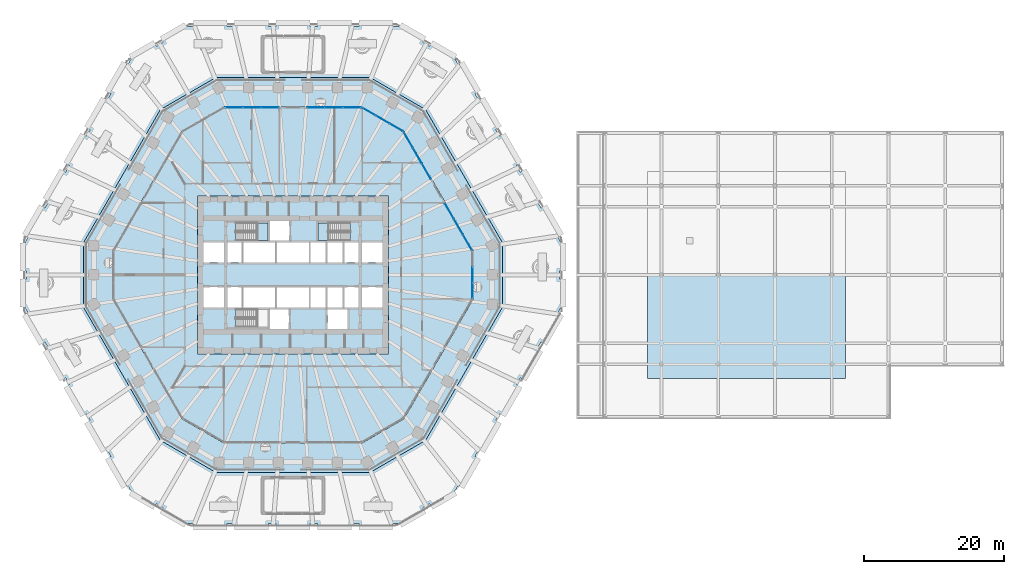
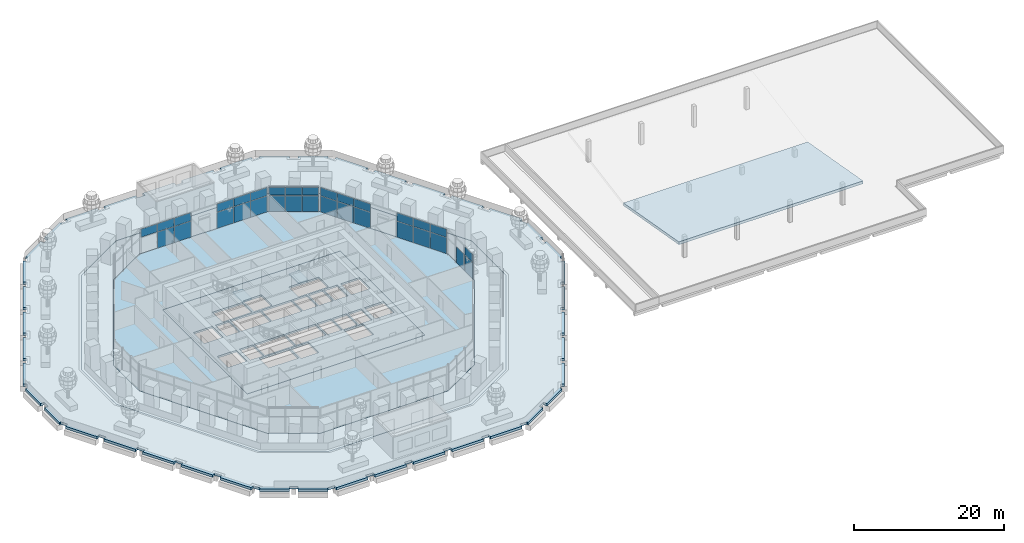
# One storey, part 20 of 32: 32 plates, 7 slabs, 8 elements without a shape of their own.
"""IFC4 building model written with IfcOpenShell, lengths in metres."""

from ifc_helpers import new_model, si_unit, direction, frame, origin, origin_2d, place, context, subcontext, project, spatial, polyline, rectangle, outline, extrude, material, layer, layer_set, type_object, element, aggregate, save


model = new_model("IFC4")

# Units and contexts
model_context = context("Model", 3, precision=1e-05, world=origin(), true_north=direction((0.0, 1.0)))
body_context = subcontext(model_context, "Body", "Model", "MODEL_VIEW")
ifc_project = project(units=[si_unit("LENGTHUNIT", "METRE"), si_unit("AREAUNIT", "SQUARE_METRE"), si_unit("VOLUMEUNIT", "CUBIC_METRE"), si_unit("PLANEANGLEUNIT", "RADIAN"), si_unit("MASSUNIT", "GRAM", prefix="KILO")], contexts=[model_context])

# Site, building, storey
site_placement = place(None, origin())
site = spatial("IfcSite", under=ifc_project, at=site_placement, CompositionType="ELEMENT")
building_placement = place(site_placement, origin())
building = spatial("IfcBuilding", under=site, at=building_placement, Name="Frailejon Research Tower", CompositionType="ELEMENT")
storey_placement = place(building_placement, frame((0.0, 0.0, 14.60009765625)))
storey = spatial("IfcBuildingStorey", under=building, at=storey_placement, Name="L03", CompositionType="ELEMENT", Elevation=14.60009765625)

# Curtain wall, plates
ifc_material_1 = material(Name="Aluminium curtain wall", Category="aluminium")
curtain_wall_type = type_object("IfcCurtainWallType", Name="Base zone unitised curtain wall system", PredefinedType="NOTDEFINED", material=ifc_material_1)
curtain_wall_1_placement = place(storey_placement, origin())
curtain_wall_1 = element("IfcCurtainWall", 1, at=curtain_wall_1_placement, inside=storey, type_object=curtain_wall_type, Name="Curtain wall L03", PredefinedType="NOTDEFINED")
ifc_material_2 = material(Name="Clear laminated glass", Category="glass")
ifc_layer_1 = layer(ifc_material_2, 0.028076171875)
ifc_layer_set_1 = layer_set([ifc_layer_1], Name="Base zone unitised curtain wall glass panel 28")
plate_type = type_object("IfcPlateType", Name="Base zone unitised curtain wall glass panel 28", PredefinedType="CURTAIN_PANEL", material=ifc_layer_set_1)
plate_1_placement = place(storey_placement, frame((25.61279296875, -2.2099609375, 0.06005859375), z_axis=(0.0, 0.0, 1.0), x_axis=(0.0, 1.0, 0.0)))
plate_1 = element("IfcPlate", 2, at=plate_1_placement, type_object=plate_type, Name="CW3-045 panel 1.1", PredefinedType="CURTAIN_PANEL", context=body_context, shape_type="SweptSolid", body=[
    extrude(rectangle(XDim=2.134765625, YDim=0.028076171875, at=origin_2d()), origin(), (0.0, 0.0, 1.0), 2.610107421875),
])
plate_2_placement = place(storey_placement, frame((25.61279296875, -2.2099609375, 2.72998046875), z_axis=(0.0, 0.0, 1.0), x_axis=(0.0, 1.0, 0.0)))
plate_2 = element("IfcPlate", 3, at=plate_2_placement, type_object=plate_type, Name="CW3-045 panel 1.2", PredefinedType="CURTAIN_PANEL", context=body_context, shape_type="SweptSolid", body=[
    extrude(rectangle(XDim=2.134765625, YDim=0.028076171875, at=origin_2d()), origin(), (0.0, 0.0, 1.0), 1.31005859375),
])
plate_3_placement = place(storey_placement, frame((25.61279296875, 0.0, 0.06005859375), z_axis=(0.0, 0.0, 1.0), x_axis=(0.0, 1.0, 0.0)))
plate_3 = element("IfcPlate", 4, at=plate_3_placement, type_object=plate_type, Name="CW3-045 panel 2.1", PredefinedType="CURTAIN_PANEL", context=body_context, shape_type="SweptSolid", body=[
    extrude(rectangle(XDim=2.164794921875, YDim=0.028076171875, at=origin_2d()), origin(), (0.0, 0.0, 1.0), 2.610107421875),
])
aggregate(curtain_wall_1, [plate_1, plate_2, plate_3])

curtain_wall_2_placement = place(storey_placement, origin())
curtain_wall_2 = element("IfcCurtainWall", 5, at=curtain_wall_2_placement, inside=storey, type_object=curtain_wall_type, Name="Curtain wall L03", PredefinedType="NOTDEFINED")
plate_4_placement = place(storey_placement, frame((24.908447265625, 4.657470703125, 0.06005859375), z_axis=(0.0, 0.0, 1.0), x_axis=(-0.499993018474, 0.866029434533, 0.0)))
plate_4 = element("IfcPlate", 6, at=plate_4_placement, type_object=plate_type, Name="CW3-046 panel 1.1", PredefinedType="CURTAIN_PANEL", context=body_context, shape_type="SweptSolid", body=[
    extrude(rectangle(XDim=2.497802734375, YDim=0.028076171875, at=origin_2d()), origin(), (0.0, 0.0, 1.0), 2.610107421875),
])
plate_5_placement = place(storey_placement, frame((24.908447265625, 4.657470703125, 2.72998046875), z_axis=(0.0, 0.0, 1.0), x_axis=(-0.499993018474, 0.866029434533, 0.0)))
plate_5 = element("IfcPlate", 7, at=plate_5_placement, type_object=plate_type, Name="CW3-046 panel 1.2", PredefinedType="CURTAIN_PANEL", context=body_context, shape_type="SweptSolid", body=[
    extrude(rectangle(XDim=2.497802734375, YDim=0.028076171875, at=origin_2d()), origin(), (0.0, 0.0, 1.0), 1.31005859375),
])
plate_6_placement = place(storey_placement, frame((23.621826171875, 6.8857421875, 0.06005859375), z_axis=(0.0, 0.0, 1.0), x_axis=(-0.499993018474, 0.866029434533, 0.0)))
plate_6 = element("IfcPlate", 8, at=plate_6_placement, type_object=plate_type, Name="CW3-046 panel 2.1", PredefinedType="CURTAIN_PANEL", context=body_context, shape_type="SweptSolid", body=[
    extrude(rectangle(XDim=2.52783203125, YDim=0.028076171875, at=origin_2d()), origin(), (0.0, 0.0, 1.0), 2.610107421875),
])
plate_7_placement = place(storey_placement, frame((23.621826171875, 6.8857421875, 2.72998046875), z_axis=(0.0, 0.0, 1.0), x_axis=(-0.499993018474, 0.866029434533, 0.0)))
plate_7 = element("IfcPlate", 9, at=plate_7_placement, type_object=plate_type, Name="CW3-046 panel 2.2", PredefinedType="CURTAIN_PANEL", context=body_context, shape_type="SweptSolid", body=[
    extrude(rectangle(XDim=2.52783203125, YDim=0.028076171875, at=origin_2d()), origin(), (0.0, 0.0, 1.0), 1.31005859375),
])
plate_8_placement = place(storey_placement, frame((22.33544921875, 9.114013671875, 0.06005859375), z_axis=(0.0, 0.0, 1.0), x_axis=(-0.499993018474, 0.866029434533, 0.0)))
plate_8 = element("IfcPlate", 10, at=plate_8_placement, type_object=plate_type, Name="CW3-046 panel 3.1", PredefinedType="CURTAIN_PANEL", context=body_context, shape_type="SweptSolid", body=[
    extrude(rectangle(XDim=2.497802734375, YDim=0.028076171875, at=origin_2d()), origin(), (0.0, 0.0, 1.0), 2.610107421875),
])
plate_9_placement = place(storey_placement, frame((22.33544921875, 9.114013671875, 2.72998046875), z_axis=(0.0, 0.0, 1.0), x_axis=(-0.499993018474, 0.866029434533, 0.0)))
plate_9 = element("IfcPlate", 11, at=plate_9_placement, type_object=plate_type, Name="CW3-046 panel 3.2", PredefinedType="CURTAIN_PANEL", context=body_context, shape_type="SweptSolid", body=[
    extrude(rectangle(XDim=2.497802734375, YDim=0.028076171875, at=origin_2d()), origin(), (0.0, 0.0, 1.0), 1.31005859375),
])
aggregate(curtain_wall_2, [plate_4, plate_5, plate_6, plate_7, plate_8, plate_9])

curtain_wall_3_placement = place(storey_placement, origin())
curtain_wall_3 = element("IfcCurtainWall", 12, at=curtain_wall_3_placement, inside=storey, type_object=curtain_wall_type, Name="Curtain wall L03", PredefinedType="NOTDEFINED")
plate_10_placement = place(storey_placement, frame((19.060546875, 14.7861328125, 0.06005859375), z_axis=(0.0, 0.0, 1.0), x_axis=(-0.499993018474, 0.866029434533, 0.0)))
plate_10 = element("IfcPlate", 13, at=plate_10_placement, type_object=plate_type, Name="CW3-047 panel 1.1", PredefinedType="CURTAIN_PANEL", context=body_context, shape_type="SweptSolid", body=[
    extrude(rectangle(XDim=2.497802734375, YDim=0.028076171875, at=origin_2d()), origin(), (0.0, 0.0, 1.0), 2.610107421875),
])
plate_11_placement = place(storey_placement, frame((19.060546875, 14.7861328125, 2.72998046875), z_axis=(0.0, 0.0, 1.0), x_axis=(-0.499993018474, 0.866029434533, 0.0)))
plate_11 = element("IfcPlate", 14, at=plate_11_placement, type_object=plate_type, Name="CW3-047 panel 1.2", PredefinedType="CURTAIN_PANEL", context=body_context, shape_type="SweptSolid", body=[
    extrude(rectangle(XDim=2.497802734375, YDim=0.028076171875, at=origin_2d()), origin(), (0.0, 0.0, 1.0), 1.31005859375),
])
plate_12_placement = place(storey_placement, frame((17.774169921875, 17.014404296875, 0.06005859375), z_axis=(0.0, 0.0, 1.0), x_axis=(-0.499993018474, 0.866029434533, 0.0)))
plate_12 = element("IfcPlate", 15, at=plate_12_placement, type_object=plate_type, Name="CW3-047 panel 2.1", PredefinedType="CURTAIN_PANEL", context=body_context, shape_type="SweptSolid", body=[
    extrude(rectangle(XDim=2.52783203125, YDim=0.028076171875, at=origin_2d()), origin(), (0.0, 0.0, 1.0), 2.610107421875),
])
plate_13_placement = place(storey_placement, frame((17.774169921875, 17.014404296875, 2.72998046875), z_axis=(0.0, 0.0, 1.0), x_axis=(-0.499993018474, 0.866029434533, 0.0)))
plate_13 = element("IfcPlate", 16, at=plate_13_placement, type_object=plate_type, Name="CW3-047 panel 2.2", PredefinedType="CURTAIN_PANEL", context=body_context, shape_type="SweptSolid", body=[
    extrude(rectangle(XDim=2.52783203125, YDim=0.028076171875, at=origin_2d()), origin(), (0.0, 0.0, 1.0), 1.31005859375),
])
plate_14_placement = place(storey_placement, frame((16.487548828125, 19.242431640625, 0.06005859375), z_axis=(0.0, 0.0, 1.0), x_axis=(-0.499993018474, 0.866029434533, 0.0)))
plate_14 = element("IfcPlate", 17, at=plate_14_placement, type_object=plate_type, Name="CW3-047 panel 3.1", PredefinedType="CURTAIN_PANEL", context=body_context, shape_type="SweptSolid", body=[
    extrude(rectangle(XDim=2.497802734375, YDim=0.028076171875, at=origin_2d()), origin(), (0.0, 0.0, 1.0), 2.610107421875),
])
plate_15_placement = place(storey_placement, frame((16.487548828125, 19.242431640625, 2.72998046875), z_axis=(0.0, 0.0, 1.0), x_axis=(-0.499993018474, 0.866029434533, 0.0)))
plate_15 = element("IfcPlate", 18, at=plate_15_placement, type_object=plate_type, Name="CW3-047 panel 3.2", PredefinedType="CURTAIN_PANEL", context=body_context, shape_type="SweptSolid", body=[
    extrude(rectangle(XDim=2.497802734375, YDim=0.028076171875, at=origin_2d()), origin(), (0.0, 0.0, 1.0), 1.31005859375),
])
aggregate(curtain_wall_3, [plate_10, plate_11, plate_12, plate_13, plate_14, plate_15])

curtain_wall_4_placement = place(storey_placement, origin())
curtain_wall_4 = element("IfcCurtainWall", 19, at=curtain_wall_4_placement, inside=storey, type_object=curtain_wall_type, Name="Curtain wall L03", PredefinedType="NOTDEFINED")
plate_16_placement = place(storey_placement, frame((14.72021484375, 21.076416015625, 0.06005859375), z_axis=(0.0, 0.0, 1.0), x_axis=(-0.866026409075, 0.499998258782, 0.0)))
plate_16 = element("IfcPlate", 20, at=plate_16_placement, type_object=plate_type, Name="CW3-048 panel 1.1", PredefinedType="CURTAIN_PANEL", context=body_context, shape_type="SweptSolid", body=[
    extrude(rectangle(XDim=2.134765625, YDim=0.028076171875, at=origin_2d()), origin(), (0.0, 0.0, 1.0), 2.610107421875),
])
plate_17_placement = place(storey_placement, frame((14.72021484375, 21.076416015625, 2.72998046875), z_axis=(0.0, 0.0, 1.0), x_axis=(-0.866026409075, 0.499998258782, 0.0)))
plate_17 = element("IfcPlate", 21, at=plate_17_placement, type_object=plate_type, Name="CW3-048 panel 1.2", PredefinedType="CURTAIN_PANEL", context=body_context, shape_type="SweptSolid", body=[
    extrude(rectangle(XDim=2.134765625, YDim=0.028076171875, at=origin_2d()), origin(), (0.0, 0.0, 1.0), 1.31005859375),
])
plate_18_placement = place(storey_placement, frame((12.806396484375, 22.181396484375, 0.06005859375), z_axis=(0.0, 0.0, 1.0), x_axis=(-0.866026409075, 0.499998258782, 0.0)))
plate_18 = element("IfcPlate", 22, at=plate_18_placement, type_object=plate_type, Name="CW3-048 panel 2.1", PredefinedType="CURTAIN_PANEL", context=body_context, shape_type="SweptSolid", body=[
    extrude(rectangle(XDim=2.164794921875, YDim=0.028076171875, at=origin_2d()), origin(), (0.0, 0.0, 1.0), 2.610107421875),
])
plate_19_placement = place(storey_placement, frame((12.806396484375, 22.181396484375, 2.72998046875), z_axis=(0.0, 0.0, 1.0), x_axis=(-0.866026409075, 0.499998258782, 0.0)))
plate_19 = element("IfcPlate", 23, at=plate_19_placement, type_object=plate_type, Name="CW3-048 panel 2.2", PredefinedType="CURTAIN_PANEL", context=body_context, shape_type="SweptSolid", body=[
    extrude(rectangle(XDim=2.164794921875, YDim=0.028076171875, at=origin_2d()), origin(), (0.0, 0.0, 1.0), 1.31005859375),
])
plate_20_placement = place(storey_placement, frame((10.892578125, 23.286376953125, 0.06005859375), z_axis=(0.0, 0.0, 1.0), x_axis=(-0.866026409075, 0.499998258782, 0.0)))
plate_20 = element("IfcPlate", 24, at=plate_20_placement, type_object=plate_type, Name="CW3-048 panel 3.1", PredefinedType="CURTAIN_PANEL", context=body_context, shape_type="SweptSolid", body=[
    extrude(rectangle(XDim=2.134765625, YDim=0.028076171875, at=origin_2d()), origin(), (0.0, 0.0, 1.0), 2.610107421875),
])
plate_21_placement = place(storey_placement, frame((10.892578125, 23.286376953125, 2.72998046875), z_axis=(0.0, 0.0, 1.0), x_axis=(-0.866026409075, 0.499998258782, 0.0)))
plate_21 = element("IfcPlate", 25, at=plate_21_placement, type_object=plate_type, Name="CW3-048 panel 3.2", PredefinedType="CURTAIN_PANEL", context=body_context, shape_type="SweptSolid", body=[
    extrude(rectangle(XDim=2.134765625, YDim=0.028076171875, at=origin_2d()), origin(), (0.0, 0.0, 1.0), 1.31005859375),
])
aggregate(curtain_wall_4, [plate_16, plate_17, plate_18, plate_19, plate_20, plate_21])

curtain_wall_5_placement = place(storey_placement, origin())
curtain_wall_5 = element("IfcCurtainWall", 26, at=curtain_wall_5_placement, inside=storey, type_object=curtain_wall_type, Name="Curtain wall L03", PredefinedType="NOTDEFINED")
plate_22_placement = place(storey_placement, frame((8.420654296875, 23.89990234375, 0.06005859375), z_axis=(0.0, 0.0, 1.0), x_axis=(-1.0, 0.0, 0.0)))
plate_22 = element("IfcPlate", 27, at=plate_22_placement, type_object=plate_type, Name="CW3-049 panel 1.1", PredefinedType="CURTAIN_PANEL", context=body_context, shape_type="SweptSolid", body=[
    extrude(rectangle(XDim=2.497802734375, YDim=0.028076171875, at=origin_2d()), origin(), (0.0, 0.0, 1.0), 2.610107421875),
])
plate_23_placement = place(storey_placement, frame((8.420654296875, 23.89990234375, 2.72998046875), z_axis=(0.0, 0.0, 1.0), x_axis=(-1.0, 0.0, 0.0)))
plate_23 = element("IfcPlate", 28, at=plate_23_placement, type_object=plate_type, Name="CW3-049 panel 1.2", PredefinedType="CURTAIN_PANEL", context=body_context, shape_type="SweptSolid", body=[
    extrude(rectangle(XDim=2.497802734375, YDim=0.028076171875, at=origin_2d()), origin(), (0.0, 0.0, 1.0), 1.31005859375),
])
plate_24_placement = place(storey_placement, frame((5.84765625, 23.89990234375, 0.06005859375), z_axis=(0.0, 0.0, 1.0), x_axis=(-1.0, 0.0, 0.0)))
plate_24 = element("IfcPlate", 29, at=plate_24_placement, type_object=plate_type, Name="CW3-049 panel 2.1", PredefinedType="CURTAIN_PANEL", context=body_context, shape_type="SweptSolid", body=[
    extrude(rectangle(XDim=2.52783203125, YDim=0.028076171875, at=origin_2d()), origin(), (0.0, 0.0, 1.0), 2.610107421875),
])
plate_25_placement = place(storey_placement, frame((5.84765625, 23.89990234375, 2.72998046875), z_axis=(0.0, 0.0, 1.0), x_axis=(-1.0, 0.0, 0.0)))
plate_25 = element("IfcPlate", 30, at=plate_25_placement, type_object=plate_type, Name="CW3-049 panel 2.2", PredefinedType="CURTAIN_PANEL", context=body_context, shape_type="SweptSolid", body=[
    extrude(rectangle(XDim=2.52783203125, YDim=0.028076171875, at=origin_2d()), origin(), (0.0, 0.0, 1.0), 1.31005859375),
])
plate_26_placement = place(storey_placement, frame((3.27490234375, 23.89990234375, 0.06005859375), z_axis=(0.0, 0.0, 1.0), x_axis=(-1.0, 0.0, 0.0)))
plate_26 = element("IfcPlate", 31, at=plate_26_placement, type_object=plate_type, Name="CW3-049 panel 3.1", PredefinedType="CURTAIN_PANEL", context=body_context, shape_type="SweptSolid", body=[
    extrude(rectangle(XDim=2.497802734375, YDim=0.028076171875, at=origin_2d()), origin(), (0.0, 0.0, 1.0), 2.610107421875),
])
plate_27_placement = place(storey_placement, frame((3.27490234375, 23.89990234375, 2.72998046875), z_axis=(0.0, 0.0, 1.0), x_axis=(-1.0, 0.0, 0.0)))
plate_27 = element("IfcPlate", 32, at=plate_27_placement, type_object=plate_type, Name="CW3-049 panel 3.2", PredefinedType="CURTAIN_PANEL", context=body_context, shape_type="SweptSolid", body=[
    extrude(rectangle(XDim=2.497802734375, YDim=0.028076171875, at=origin_2d()), origin(), (0.0, 0.0, 1.0), 1.31005859375),
])
aggregate(curtain_wall_5, [plate_22, plate_23, plate_24, plate_25, plate_26, plate_27])

curtain_wall_6_placement = place(storey_placement, origin())
curtain_wall_6 = element("IfcCurtainWall", 33, at=curtain_wall_6_placement, inside=storey, type_object=curtain_wall_type, Name="Curtain wall L03", PredefinedType="NOTDEFINED")
plate_28_placement = place(storey_placement, frame((-3.27490234375, 23.89990234375, 0.06005859375), z_axis=(0.0, 0.0, 1.0), x_axis=(-1.0, 0.0, 0.0)))
plate_28 = element("IfcPlate", 34, at=plate_28_placement, type_object=plate_type, Name="CW3-050 panel 1.1", PredefinedType="CURTAIN_PANEL", context=body_context, shape_type="SweptSolid", body=[
    extrude(rectangle(XDim=2.497802734375, YDim=0.028076171875, at=origin_2d()), origin(), (0.0, 0.0, 1.0), 2.610107421875),
])
plate_29_placement = place(storey_placement, frame((-3.27490234375, 23.89990234375, 2.72998046875), z_axis=(0.0, 0.0, 1.0), x_axis=(-1.0, 0.0, 0.0)))
plate_29 = element("IfcPlate", 35, at=plate_29_placement, type_object=plate_type, Name="CW3-050 panel 1.2", PredefinedType="CURTAIN_PANEL", context=body_context, shape_type="SweptSolid", body=[
    extrude(rectangle(XDim=2.497802734375, YDim=0.028076171875, at=origin_2d()), origin(), (0.0, 0.0, 1.0), 1.31005859375),
])
plate_30_placement = place(storey_placement, frame((-5.84765625, 23.89990234375, 0.06005859375), z_axis=(0.0, 0.0, 1.0), x_axis=(-1.0, 0.0, 0.0)))
plate_30 = element("IfcPlate", 36, at=plate_30_placement, type_object=plate_type, Name="CW3-050 panel 2.1", PredefinedType="CURTAIN_PANEL", context=body_context, shape_type="SweptSolid", body=[
    extrude(rectangle(XDim=2.52783203125, YDim=0.028076171875, at=origin_2d()), origin(), (0.0, 0.0, 1.0), 2.610107421875),
])
plate_31_placement = place(storey_placement, frame((-5.84765625, 23.89990234375, 2.72998046875), z_axis=(0.0, 0.0, 1.0), x_axis=(-1.0, 0.0, 0.0)))
plate_31 = element("IfcPlate", 37, at=plate_31_placement, type_object=plate_type, Name="CW3-050 panel 2.2", PredefinedType="CURTAIN_PANEL", context=body_context, shape_type="SweptSolid", body=[
    extrude(rectangle(XDim=2.52783203125, YDim=0.028076171875, at=origin_2d()), origin(), (0.0, 0.0, 1.0), 1.31005859375),
])
plate_32_placement = place(storey_placement, frame((-8.420654296875, 23.89990234375, 2.72998046875), z_axis=(0.0, 0.0, 1.0), x_axis=(-1.0, 0.0, 0.0)))
plate_32 = element("IfcPlate", 38, at=plate_32_placement, type_object=plate_type, Name="CW3-050 panel 3.2", PredefinedType="CURTAIN_PANEL", context=body_context, shape_type="SweptSolid", body=[
    extrude(rectangle(XDim=2.497802734375, YDim=0.028076171875, at=origin_2d()), origin(), (0.0, 0.0, 1.0), 1.31005859375),
])
aggregate(curtain_wall_6, [plate_28, plate_29, plate_30, plate_31, plate_32])

# Slabs
ifc_material_3 = material(Name="Concrete C70/85", Category="concrete")
ifc_layer_2 = layer(ifc_material_3, 0.300048828125)
ifc_layer_set_2 = layer_set([ifc_layer_2], Name="Core floor slab 300 C70/85")
slab_type_1 = type_object("IfcSlabType", Name="Core floor slab 300 C70/85", PredefinedType="FLOOR", material=ifc_layer_set_2)
slab_1_placement = place(storey_placement, frame((0.0, 0.0, -0.300048828125)))
element("IfcSlab", 39, at=slab_1_placement, inside=storey, type_object=slab_type_1, Name="Core floor slab", PredefinedType="FLOOR", context=body_context, shape_type="SweptSolid", body=[
    extrude(outline(polyline([(13.64990234375, -11.25), (13.64990234375, 11.25), (-13.64990234375, 11.25), (-13.64990234375, -11.25), (13.64990234375, -11.25)]), holes=[polyline([(-9.85009765625, 1.75), (-9.85009765625, 4.64990234375), (-12.75, 4.64990234375), (-12.75, 1.75), (-9.85009765625, 1.75)]), polyline([(-7.300048828125, 1.75), (-7.300048828125, 4.64990234375), (-9.35009765625, 4.64990234375), (-9.35009765625, 1.75), (-7.300048828125, 1.75)]), polyline([(-2.5, 1.75), (-2.5, 4.64990234375), (-7.10009765625, 4.64990234375), (-7.10009765625, 1.75), (-2.5, 1.75)]), polyline([(2.300048828125, 1.75), (2.300048828125, 4.64990234375), (-2.300048828125, 4.64990234375), (-2.300048828125, 1.75), (2.300048828125, 1.75)]), polyline([(4.699951171875, 1.75), (4.699951171875, 4.64990234375), (2.5, 4.64990234375), (2.5, 1.75), (4.699951171875, 1.75)]), polyline([(7.10009765625, 1.75), (7.10009765625, 4.64990234375), (4.89990234375, 4.64990234375), (4.89990234375, 1.75), (7.10009765625, 1.75)]), polyline([(9.35009765625, 1.75), (9.35009765625, 4.64990234375), (7.300048828125, 4.64990234375), (7.300048828125, 1.75), (9.35009765625, 1.75)]), polyline([(12.75, 1.75), (12.75, 4.64990234375), (9.85009765625, 4.64990234375), (9.85009765625, 1.75), (12.75, 1.75)]), polyline([(-9.85009765625, -4.64990234375), (-9.85009765625, -1.75), (-12.75, -1.75), (-12.75, -4.64990234375), (-9.85009765625, -4.64990234375)]), polyline([(-7.300048828125, -4.64990234375), (-7.300048828125, -1.75), (-9.35009765625, -1.75), (-9.35009765625, -4.64990234375), (-7.300048828125, -4.64990234375)]), polyline([(-2.5, -4.64990234375), (-2.5, -1.75), (-7.10009765625, -1.75), (-7.10009765625, -4.64990234375), (-2.5, -4.64990234375)]), polyline([(2.300048828125, -4.64990234375), (2.300048828125, -1.75), (-2.300048828125, -1.75), (-2.300048828125, -4.64990234375), (2.300048828125, -4.64990234375)]), polyline([(4.699951171875, -4.64990234375), (4.699951171875, -1.75), (2.5, -1.75), (2.5, -4.64990234375), (4.699951171875, -4.64990234375)]), polyline([(7.10009765625, -4.64990234375), (7.10009765625, -1.75), (4.89990234375, -1.75), (4.89990234375, -4.64990234375), (7.10009765625, -4.64990234375)]), polyline([(9.35009765625, -4.64990234375), (9.35009765625, -1.75), (7.300048828125, -1.75), (7.300048828125, -4.64990234375), (9.35009765625, -4.64990234375)]), polyline([(12.75, -4.64990234375), (12.75, -1.75), (9.85009765625, -1.75), (9.85009765625, -4.64990234375), (12.75, -4.64990234375)]), polyline([(-8.14697265625, 4.89990234375), (-3.550048828125, 4.89990234375), (-3.550048828125, 7.449951171875), (-8.14697265625, 7.449951171875), (-8.14697265625, 4.89990234375)]), polyline([(-8.14697265625, -7.449951171875), (-3.550048828125, -7.449951171875), (-3.550048828125, -4.89990234375), (-8.14697265625, -4.89990234375), (-8.14697265625, -7.449951171875)]), polyline([(8.14697265625, 7.449951171875), (3.550048828125, 7.449951171875), (3.550048828125, 4.89990234375), (8.14697265625, 4.89990234375), (8.14697265625, 7.449951171875)]), polyline([(-0.60009765625, -7.699951171875), (-0.60009765625, -4.89990234375), (-3.300048828125, -4.89990234375), (-3.300048828125, -7.699951171875), (-0.60009765625, -7.699951171875)]), polyline([(7.800048828125, -7.699951171875), (7.800048828125, -4.89990234375), (4.89990234375, -4.89990234375), (4.89990234375, -7.699951171875), (7.800048828125, -7.699951171875)]), polyline([(-0.5, 4.89990234375), (-0.5, 7.699951171875), (-3.300048828125, 7.699951171875), (-3.300048828125, 4.89990234375), (-0.5, 4.89990234375)])]), origin(), (0.0, 0.0, 1.0), 0.300048828125),
])
ifc_material_4 = material(Name="Concrete C40/50", Category="concrete")
ifc_layer_3 = layer(ifc_material_4, 0.39990234375)
ifc_layer_set_3 = layer_set([ifc_layer_3], Name="Deck slab 400")
slab_type_2 = type_object("IfcSlabType", Name="Deck slab 400", PredefinedType="ROOF", material=ifc_layer_set_3)
slab_2_placement = place(storey_placement, frame((0.0, 0.0, -0.400146484375)))
element("IfcSlab", 40, at=slab_2_placement, inside=storey, type_object=slab_type_2, Name="Garden deck slab", PredefinedType="ROOF", context=body_context, shape_type="SweptSolid", body=[
    extrude(outline(polyline([(38.569091796875, -0.552001953125), (38.01708984375, -0.552001953125), (38.01708984375, 0.552001953125), (38.569091796875, 0.552001953125), (38.569091796875, 4.558837890625), (38.3671875, 4.442138671875), (37.815185546875, 5.398193359375), (38.293212890625, 5.67431640625), (35.88818359375, 9.839599609375), (35.410400390625, 9.563720703125), (34.8583984375, 10.519775390625), (35.336181640625, 10.795654296875), (32.931396484375, 14.961181640625), (32.453369140625, 14.685302734375), (31.9013671875, 15.64111328125), (32.37939453125, 15.917236328125), (29.974609375, 20.082763671875), (29.49658203125, 19.806884765625), (28.944580078125, 20.7626953125), (29.422607421875, 21.038818359375), (27.017578125, 25.204345703125), (26.53955078125, 24.92822265625), (25.987548828125, 25.88427734375), (26.465576171875, 26.160400390625), (24.060546875, 30.32568359375), (23.58251953125, 30.0498046875), (23.030517578125, 31.005859375), (23.232666015625, 31.12255859375), (19.7626953125, 33.1259765625), (19.486572265625, 32.64794921875), (18.530517578125, 33.199951171875), (18.806640625, 33.677978515625), (15.336669921875, 35.681396484375), (15.336669921875, 35.447998046875), (14.232666015625, 35.447998046875), (14.232666015625, 36.0), (9.4228515625, 36.0), (9.4228515625, 35.447998046875), (8.31884765625, 35.447998046875), (8.31884765625, 36.0), (3.5087890625, 36.0), (3.5087890625, 35.447998046875), (2.40478515625, 35.447998046875), (2.40478515625, 36.0), (-2.40478515625, 36.0), (-2.40478515625, 35.447998046875), (-3.5087890625, 35.447998046875), (-3.5087890625, 36.0), (-8.31884765625, 36.0), (-8.31884765625, 35.447998046875), (-9.4228515625, 35.447998046875), (-9.4228515625, 36.0), (-14.232666015625, 36.0), (-14.232666015625, 35.447998046875), (-15.336669921875, 35.447998046875), (-15.336669921875, 35.681396484375), (-18.806640625, 33.677978515625), (-18.530517578125, 33.199951171875), (-19.486572265625, 32.64794921875), (-19.7626953125, 33.1259765625), (-23.232666015625, 31.12255859375), (-23.030517578125, 31.005859375), (-23.58251953125, 30.0498046875), (-24.060546875, 30.32568359375), (-26.465576171875, 26.160400390625), (-25.987548828125, 25.88427734375), (-26.53955078125, 24.92822265625), (-27.017578125, 25.204345703125), (-29.422607421875, 21.038818359375), (-28.944580078125, 20.7626953125), (-29.49658203125, 19.806884765625), (-29.974609375, 20.082763671875), (-32.37939453125, 15.917236328125), (-31.9013671875, 15.64111328125), (-32.453369140625, 14.685302734375), (-32.931396484375, 14.961181640625), (-35.336181640625, 10.795654296875), (-34.8583984375, 10.519775390625), (-35.410400390625, 9.563720703125), (-35.88818359375, 9.839599609375), (-38.293212890625, 5.67431640625), (-37.815185546875, 5.398193359375), (-38.3671875, 4.442138671875), (-38.569091796875, 4.558837890625), (-38.569091796875, 0.552001953125), (-38.01708984375, 0.552001953125), (-38.01708984375, -0.552001953125), (-38.569091796875, -0.552001953125), (-38.569091796875, -4.558837890625), (-38.3671875, -4.442138671875), (-37.815185546875, -5.398193359375), (-38.293212890625, -5.67431640625), (-35.88818359375, -9.839599609375), (-35.410400390625, -9.563720703125), (-34.8583984375, -10.519775390625), (-35.336181640625, -10.795654296875), (-32.931396484375, -14.961181640625), (-32.453369140625, -14.685302734375), (-31.9013671875, -15.64111328125), (-32.37939453125, -15.917236328125), (-29.974609375, -20.082763671875), (-29.49658203125, -19.806884765625), (-28.944580078125, -20.7626953125), (-29.422607421875, -21.038818359375), (-27.017578125, -25.204345703125), (-26.53955078125, -24.92822265625), (-25.987548828125, -25.88427734375), (-26.465576171875, -26.160400390625), (-24.060546875, -30.32568359375), (-23.58251953125, -30.0498046875), (-23.030517578125, -31.005859375), (-23.232666015625, -31.12255859375), (-19.7626953125, -33.1259765625), (-19.486572265625, -32.64794921875), (-18.530517578125, -33.199951171875), (-18.806640625, -33.677978515625), (-15.336669921875, -35.681396484375), (-15.336669921875, -35.447998046875), (-14.232666015625, -35.447998046875), (-14.232666015625, -36.0), (-9.4228515625, -36.0), (-9.4228515625, -35.447998046875), (-8.31884765625, -35.447998046875), (-8.31884765625, -36.0), (-3.5087890625, -36.0), (-3.5087890625, -35.447998046875), (-2.40478515625, -35.447998046875), (-2.40478515625, -36.0), (2.40478515625, -36.0), (2.40478515625, -35.447998046875), (3.5087890625, -35.447998046875), (3.5087890625, -36.0), (8.31884765625, -36.0), (8.31884765625, -35.447998046875), (9.4228515625, -35.447998046875), (9.4228515625, -36.0), (14.232666015625, -36.0), (14.232666015625, -35.447998046875), (15.336669921875, -35.447998046875), (15.336669921875, -35.681396484375), (18.806640625, -33.677978515625), (18.530517578125, -33.199951171875), (19.486572265625, -32.64794921875), (19.7626953125, -33.1259765625), (23.232666015625, -31.12255859375), (23.030517578125, -31.005859375), (23.58251953125, -30.0498046875), (24.060546875, -30.32568359375), (26.465576171875, -26.160400390625), (25.987548828125, -25.88427734375), (26.53955078125, -24.92822265625), (27.017578125, -25.204345703125), (29.422607421875, -21.038818359375), (28.944580078125, -20.7626953125), (29.49658203125, -19.806884765625), (29.974609375, -20.082763671875), (32.37939453125, -15.917236328125), (31.9013671875, -15.64111328125), (32.453369140625, -14.685302734375), (32.931396484375, -14.961181640625), (35.336181640625, -10.795654296875), (34.8583984375, -10.519775390625), (35.410400390625, -9.563720703125), (35.88818359375, -9.839599609375), (38.293212890625, -5.67431640625), (37.815185546875, -5.398193359375), (38.3671875, -4.442138671875), (38.569091796875, -4.558837890625), (38.569091796875, -0.552001953125)]), holes=[polyline([(-18.9326171875, 23.612060546875), (-10.982421875, 28.201904296875), (10.982421875, 28.201904296875), (18.9326171875, 23.612060546875), (29.914794921875, 4.590087890625), (29.914794921875, -4.590087890625), (18.9326171875, -23.612060546875), (10.982421875, -28.201904296875), (-10.982421875, -28.201904296875), (-18.9326171875, -23.612060546875), (-29.914794921875, -4.590087890625), (-29.914794921875, 4.590087890625), (-18.9326171875, 23.612060546875)])]), origin(), (0.0, 0.0, 1.0), 0.400146484375),
])
ifc_material_5 = material(Name="Concrete C35/45", Category="concrete")
ifc_layer_4 = layer(ifc_material_5, 0.449951171875)
ifc_layer_set_4 = layer_set([ifc_layer_4], Name="HC umbrella roof slab 450")
slab_type_3 = type_object("IfcSlabType", Name="HC umbrella roof slab 450", PredefinedType="ROOF", material=ifc_layer_set_4)
slab_3_placement = place(storey_placement, frame((50.60009765625, -14.75, 3.8505859375), z_axis=(0.0, 0.173632829246, 0.98481045923), x_axis=(1.0, 0.0, 0.0)))
element("IfcSlab", 41, at=slab_3_placement, inside=storey, type_object=slab_type_3, Name="HC umbrella roof wing south", PredefinedType="ROOF", context=body_context, shape_type="SweptSolid", body=[
    extrude(outline(polyline([(0.0, 0.0), (28.2998046875, 0.0), (28.2998046875, 14.977501367662189), (0.0, 14.977501367662189), (0.0, 0.0)])), origin(), (0.0, -0.173632829246, 0.98481045923), 0.449951171875),
])
ifc_material_6 = material(Name="Concrete C40/50", Category="concrete")
ifc_layer_5 = layer(ifc_material_6, 0.35009765625)
ifc_layer_set_5 = layer_set([ifc_layer_5], Name="Loggia slab 350")
slab_type_4 = type_object("IfcSlabType", Name="Loggia slab 350", PredefinedType="USERDEFINED", material=ifc_layer_set_5)
slab_4_placement = place(storey_placement, frame((0.0, 0.0, -0.35009765625)))
element("IfcSlab", 42, at=slab_4_placement, inside=storey, type_object=slab_type_4, Name="Loggia slab L03", ObjectType="LOGGIA", PredefinedType="USERDEFINED", context=body_context, shape_type="SweptSolid", body=[
    extrude(outline(polyline([(18.930908203125, -23.610595703125), (10.981689453125, -28.199951171875), (-10.981689453125, -28.199951171875), (-18.930908203125, -23.610595703125), (-29.912841796875, -4.589599609375), (-29.912841796875, 4.589599609375), (-18.930908203125, 23.610595703125), (-10.981689453125, 28.199951171875), (10.981689453125, 28.199951171875), (18.930908203125, 23.610595703125), (29.912841796875, 4.589599609375), (29.912841796875, -4.589599609375), (18.930908203125, -23.610595703125)]), holes=[polyline([(25.712890625, 3.464111328125), (15.8564453125, 20.535888671875), (9.8564453125, 24.0), (-9.8564453125, 24.0), (-15.8564453125, 20.535888671875), (-25.712890625, 3.464111328125), (-25.712890625, -3.464111328125), (-15.8564453125, -20.535888671875), (-9.8564453125, -24.0), (9.8564453125, -24.0), (15.8564453125, -20.535888671875), (25.712890625, -3.464111328125), (25.712890625, 3.464111328125)])]), origin(), (0.0, 0.0, 1.0), 0.35009765625),
])
ifc_material_7 = material(Name="Concrete C40/50", Category="concrete")
ifc_layer_6 = layer(ifc_material_7, 0.300048828125)
ifc_layer_set_6 = layer_set([ifc_layer_6], Name="Slab typical 300")
slab_type_5 = type_object("IfcSlabType", Name="Slab typical 300", PredefinedType="FLOOR", material=ifc_layer_set_6)
slab_5_placement = place(storey_placement, frame((0.0, 0.0, -0.300048828125)))
element("IfcSlab", 43, at=slab_5_placement, inside=storey, type_object=slab_type_5, Name="Floor slab L03", PredefinedType="FLOOR", context=body_context, shape_type="SweptSolid", body=[
    extrude(outline(polyline([(25.712890625, -3.464111328125), (25.712890625, 3.464111328125), (15.8564453125, 20.535888671875), (9.8564453125, 24.0), (-9.8564453125, 24.0), (-15.8564453125, 20.535888671875), (-25.712890625, 3.464111328125), (-25.712890625, -3.464111328125), (-15.8564453125, -20.535888671875), (-9.8564453125, -24.0), (9.8564453125, -24.0), (15.8564453125, -20.535888671875), (25.712890625, -3.464111328125)]), holes=[polyline([(13.64990234375, -11.25), (-13.64990234375, -11.25), (-13.64990234375, 11.25), (13.64990234375, 11.25), (13.64990234375, -11.25)])]), origin(), (0.0, 0.0, 1.0), 0.300048828125),
])

# Stair, slab
ifc_material_8 = material(Name="Concrete C50/60", Category="concrete")
stair_type = type_object("IfcStairType", Name="Exit stair 24 risers", PredefinedType="HALF_TURN_STAIR", material=ifc_material_8)
stair_1_placement = place(storey_placement, origin())
stair_1 = element("IfcStair", 44, at=stair_1_placement, inside=storey, type_object=stair_type, Name="L03 Exit stair ST1", PredefinedType="HALF_TURN_STAIR")
ifc_material_9 = material(Name="Concrete C50/60", Category="concrete")
ifc_layer_7 = layer(ifc_material_9, 0.199951171875)
ifc_layer_set_7 = layer_set([ifc_layer_7], Name="Stair landing slab 200")
slab_type_6 = type_object("IfcSlabType", Name="Stair landing slab 200", PredefinedType="LANDING", material=ifc_layer_set_7)
slab_6_placement = place(storey_placement, frame((0.0, 0.0, 2.0)))
slab_6 = element("IfcSlab", 45, at=slab_6_placement, type_object=slab_type_6, Name="ST1 landing 1", PredefinedType="LANDING", context=body_context, shape_type="SweptSolid", body=[
    extrude(outline(polyline([(-5.070068359375, 4.89990234375), (-3.550048828125, 4.89990234375), (-3.550048828125, 7.449951171875), (-5.070068359375, 7.449951171875), (-5.070068359375, 4.89990234375)])), origin(), (0.0, 0.0, 1.0), 0.199951171875),
])
aggregate(stair_1, [slab_6])

stair_2_placement = place(storey_placement, origin())
stair_2 = element("IfcStair", 46, at=stair_2_placement, inside=storey, type_object=stair_type, Name="L03 Exit stair ST3", PredefinedType="HALF_TURN_STAIR")
slab_7_placement = place(storey_placement, frame((0.0, 0.0, 2.0)))
slab_7 = element("IfcSlab", 47, at=slab_7_placement, type_object=slab_type_6, Name="ST3 landing 1", PredefinedType="LANDING", context=body_context, shape_type="SweptSolid", body=[
    extrude(outline(polyline([(5.070068359375, 7.449951171875), (3.550048828125, 7.449951171875), (3.550048828125, 4.89990234375), (5.070068359375, 4.89990234375), (5.070068359375, 7.449951171875)])), origin(), (0.0, 0.0, 1.0), 0.199951171875),
])
aggregate(stair_2, [slab_7])

save(model, "model.ifc")
